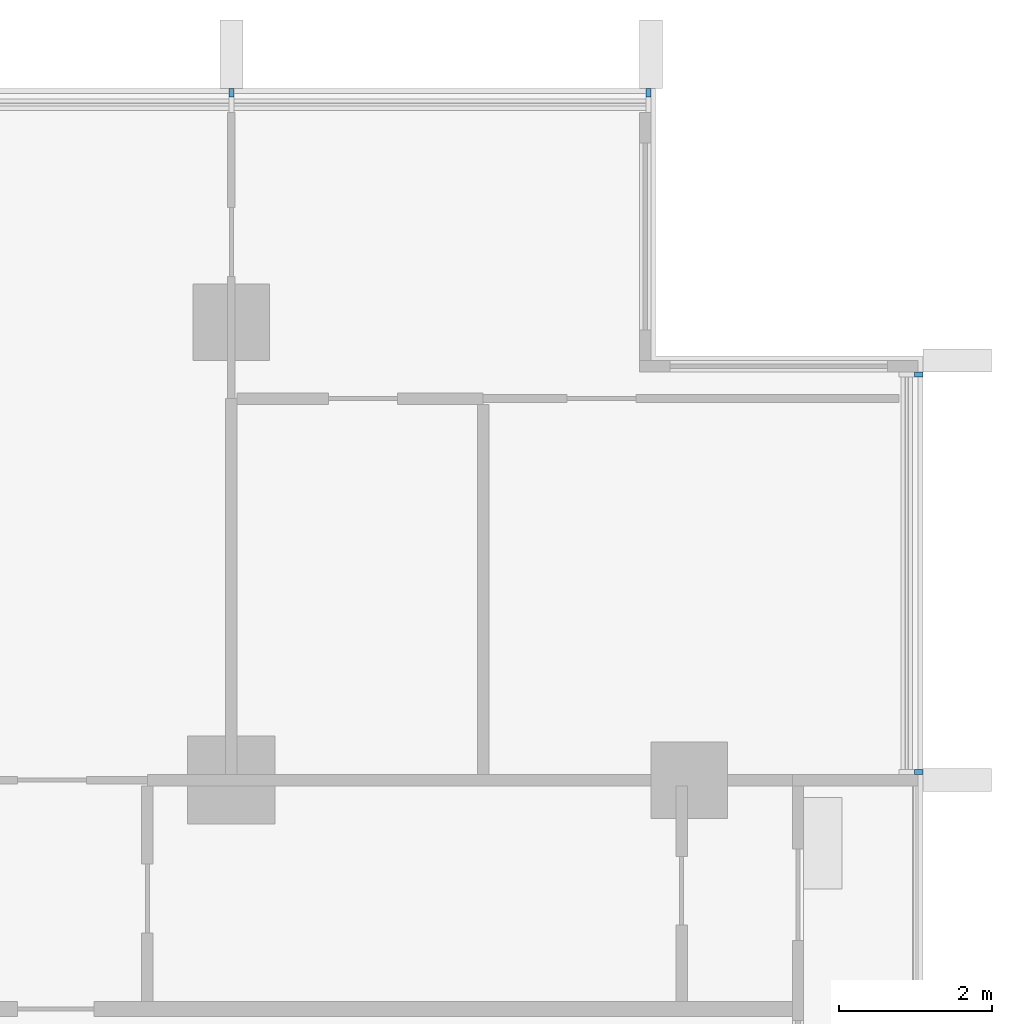
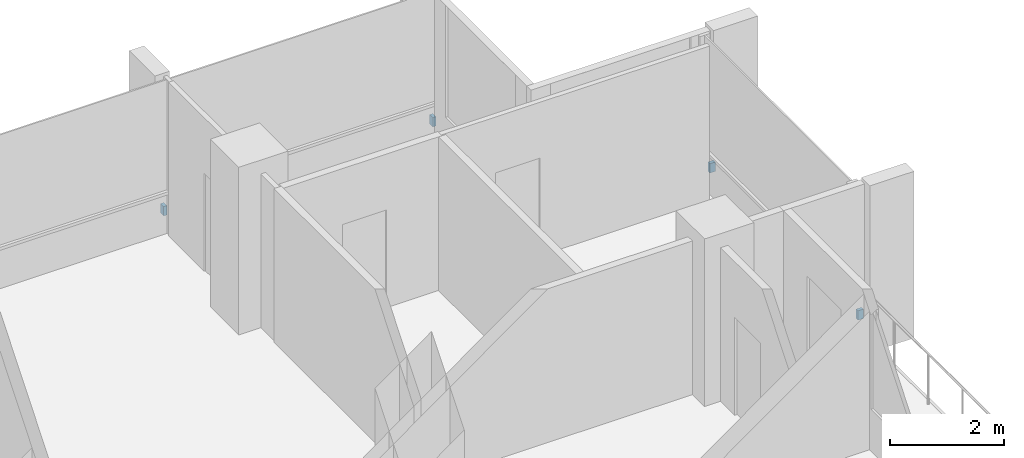
# One storey, part 16 of 17: 4 discrete accessories.
"""IFC4 building model written with IfcOpenShell, lengths in metres."""

import ifcopenshell
import ifcopenshell.guid

model = None  # the IFC model being written
_history = None  # IfcOwnerHistory: only IFC2X3 demands one
_inside = {}  # id of a spatial element -> (the spatial element, [elements in it])
_under = {}  # id of a project, library or spatial element -> (it, [spatial elements below it])
_declared = {}  # id of a project -> (the project, [libraries it declares])
_typed = {}  # id of a type object -> (the type object, [elements of that type])
_made_of = {}  # id of a material, layer set ... -> (it, [elements and type objects made of it])


def new_model(schema):
    """Start an empty IFC model of exactly this schema.

    Asked for "IFC4X3", IfcOpenShell would pick the latest addendum, in which some entities
    have other attributes; the version numbers below select the first issue.
    IFC2X3 requires an IfcOwnerHistory on every rooted entity: one is made here for all.
    """
    global model, _history
    if schema == "IFC4X3":
        model = ifcopenshell.file(schema_version=(4, 3, 0, 0))
    else:
        model = ifcopenshell.file(schema=schema)
    _inside.clear()
    _under.clear()
    _declared.clear()
    _typed.clear()
    _made_of.clear()
    _history = None
    if model.schema == "IFC2X3":
        org = make("IfcOrganization", Name="unknown")
        user = make(
            "IfcPersonAndOrganization",
            ThePerson=make("IfcPerson", FamilyName="unknown"),
            TheOrganization=org,
        )
        app = make(
            "IfcApplication",
            ApplicationDeveloper=org,
            Version="unknown",
            ApplicationFullName="unknown",
            ApplicationIdentifier="unknown",
        )
        _history = make(
            "IfcOwnerHistory",
            OwningUser=user,
            OwningApplication=app,
            ChangeAction="ADDED",
            CreationDate=0,
        )
    return model


def make(cls, **values):
    """One entity of the class cls with the attributes given. An attribute that is None is left unset."""
    return model.create_entity(
        cls, **{name: value for name, value in values.items() if value is not None}
    )


def rooted(cls, **values):
    """An entity with a GlobalId (a new one), such as an element, a storey or a relation."""
    return make(cls, GlobalId=ifcopenshell.guid.new(), OwnerHistory=_history, **values)


def si_unit(unit_type, name, prefix=None):
    """IfcSIUnit, for example si_unit("LENGTHUNIT", "METRE", prefix="MILLI")."""
    return make("IfcSIUnit", UnitType=unit_type, Prefix=prefix, Name=name)


def assignment(units):
    """IfcUnitAssignment: the units of a project."""
    return None if units is None else make("IfcUnitAssignment", Units=units)


def point(xyz):
    """IfcCartesianPoint."""
    return None if xyz is None else make("IfcCartesianPoint", Coordinates=xyz)


def direction(xyz):
    """IfcDirection."""
    return None if xyz is None else make("IfcDirection", DirectionRatios=xyz)


def frame(location, z_axis=None, x_axis=None):
    """IfcAxis2Placement3D, a coordinate frame: its origin and axes. An axis left out is left unset."""
    return make(
        "IfcAxis2Placement3D",
        Location=point(location),
        Axis=direction(z_axis),
        RefDirection=direction(x_axis),
    )


def frame_2d(location, x_axis=None):
    """IfcAxis2Placement2D, a coordinate frame in the plane: its origin and x axis."""
    return make(
        "IfcAxis2Placement2D", Location=point(location), RefDirection=direction(x_axis)
    )


def origin():
    """The frame at (0, 0, 0) with its axes left unset."""
    return frame((0.0, 0.0, 0.0))


def origin_2d():
    """The frame at (0, 0) in the plane with its x axis left unset."""
    return frame_2d((0.0, 0.0))


def place(relative_to, where):
    """IfcLocalPlacement: puts the frame where relative to a parent placement (None: the world)."""
    return make(
        "IfcLocalPlacement", PlacementRelTo=relative_to, RelativePlacement=where
    )


def context(
    kind, dimensions, precision=None, world=None, true_north=None, identifier=None
):
    """IfcGeometricRepresentationContext, for example the 3D "Model" context."""
    return make(
        "IfcGeometricRepresentationContext",
        ContextIdentifier=identifier,
        ContextType=kind,
        CoordinateSpaceDimension=dimensions,
        Precision=precision,
        WorldCoordinateSystem=world,
        TrueNorth=true_north,
    )


def subcontext(parent, identifier, kind, view, scale=None):
    """IfcGeometricRepresentationSubContext, for example "Body" below "Model"."""
    return make(
        "IfcGeometricRepresentationSubContext",
        ContextIdentifier=identifier,
        ContextType=kind,
        ParentContext=parent,
        TargetScale=scale,
        TargetView=view,
    )


def project(units=None, contexts=None):
    """IfcProject with its units and contexts."""
    return rooted(
        "IfcProject",
        Name="project",
        RepresentationContexts=contexts,
        UnitsInContext=assignment(units),
    )


def spatial(cls, under=None, at=None, **own):
    """A site, building, storey or space (cls), placed at a placement, below another one or the project."""
    s = rooted(cls, ObjectPlacement=at, **own)
    if under is not None:
        _under.setdefault(under.id(), (under, []))[1].append(s)
    return s


def profile(cls, at=None, kind="AREA", **sizes):
    """A parametric profile (cls). Its sizes go by their IFC names, for example OverallWidth=200.0."""
    return make(cls, ProfileType=kind, Position=at, **sizes)


def rectangle(**sizes):
    """IfcRectangleProfileDef."""
    return profile("IfcRectangleProfileDef", **sizes)


def extrude(swept, where, along, depth):
    """IfcExtrudedAreaSolid: the profile swept, set in the frame where, extruded along a direction by depth."""
    return make(
        "IfcExtrudedAreaSolid",
        SweptArea=swept,
        Position=where,
        ExtrudedDirection=direction(along),
        Depth=depth,
    )


def shape(context_of_items, identifier, shape_type, items):
    """IfcShapeRepresentation: the items that make up one representation, for example the "Body"."""
    return make(
        "IfcShapeRepresentation",
        ContextOfItems=context_of_items,
        RepresentationIdentifier=identifier,
        RepresentationType=shape_type,
        Items=items,
    )


def material(Name=None, Category=None):
    """IfcMaterial."""
    return make("IfcMaterial", Name=Name, Category=Category)


def made_of(thing, what):
    """Note that an element or type object is made of a material, layer set ...; save() writes the relation."""
    if what is not None:
        _made_of.setdefault(what.id(), (what, []))[1].append(thing)
    return thing


def type_object(cls, material=None, **own):
    """A type object (cls), such as IfcWallType, which elements share."""
    return made_of(rooted(cls, **own), material)


def element(
    cls,
    number,
    at=None,
    inside=None,
    cuts=None,
    type_object=None,
    material=None,
    context=None,
    identifier="Body",
    shape_type=None,
    held_by="IfcProductDefinitionShape",
    body=None,
    shapes=None,
    **own,
):
    """One element of the class cls, such as IfcWall. Its Tag is "e" and its number.

    at: its placement. inside: the storey or other place that contains it. cuts: it is an
    opening in that element (IfcRelVoidsElement). A single representation is given by context,
    identifier, shape_type and body (its items); several are given by shapes. held_by: the class
    of the entity that holds the representations. save() writes the other relations.
    """
    e = rooted(cls, Tag="e%d" % number, ObjectPlacement=at, **own)
    if body is not None:
        shapes = [shape(context, identifier, shape_type, body)]
    if shapes is not None:
        e.Representation = make(held_by, Representations=shapes)
    if inside is not None:
        _inside.setdefault(inside.id(), (inside, []))[1].append(e)
    if cuts is not None:
        rooted(
            "IfcRelVoidsElement", RelatingBuildingElement=cuts, RelatedOpeningElement=e
        )
    if type_object is not None:
        _typed.setdefault(type_object.id(), (type_object, []))[1].append(e)
    return made_of(e, material)


def aggregate(whole, parts):
    """IfcRelAggregates: a whole, such as a stair, and the parts it consists of."""
    return rooted("IfcRelAggregates", RelatingObject=whole, RelatedObjects=parts)


def save(model, path):
    """Write the relations noted so far, then the file.

    IfcRelAggregates (storeys below a building ...), IfcRelContainedInSpatialStructure (elements
    in a storey), IfcRelDefinesByType, IfcRelAssociatesMaterial and IfcRelDeclares: one each for
    every whole, place, type object, material and project.
    """
    for whole, parts in _under.values():
        aggregate(whole, parts)
    for where, things in _inside.values():
        rooted(
            "IfcRelContainedInSpatialStructure",
            RelatedElements=things,
            RelatingStructure=where,
        )
    for kind, things in _typed.values():
        rooted("IfcRelDefinesByType", RelatedObjects=things, RelatingType=kind)
    for what, things in _made_of.values():
        rooted("IfcRelAssociatesMaterial", RelatedObjects=things, RelatingMaterial=what)
    for by, libraries in _declared.values():
        rooted("IfcRelDeclares", RelatingContext=by, RelatedDefinitions=libraries)
    model.write(path)


model = new_model("IFC4")

# Units and contexts
model_context = context("Model", 3, precision=1e-05, world=origin(), true_north=direction((0.0, 1.0)))
body_context = subcontext(model_context, "Body", "Model", "MODEL_VIEW")
ifc_project = project(units=[si_unit("LENGTHUNIT", "METRE"), si_unit("AREAUNIT", "SQUARE_METRE"), si_unit("VOLUMEUNIT", "CUBIC_METRE"), si_unit("PLANEANGLEUNIT", "RADIAN"), si_unit("MASSUNIT", "GRAM", prefix="KILO")], contexts=[model_context])

# Site, building, storey
site_placement = place(None, origin())
site = spatial("IfcSite", under=ifc_project, at=site_placement, CompositionType="ELEMENT")
building_placement = place(site_placement, origin())
building = spatial("IfcBuilding", under=site, at=building_placement, Name="Finial Court Residences", CompositionType="ELEMENT")
storey_placement = place(building_placement, frame((0.0, 0.0, 95.5)))
storey = spatial("IfcBuildingStorey", under=building, at=storey_placement, Name="L23", CompositionType="ELEMENT", Elevation=95.5)

# Discrete accessories
ifc_material = material(Name="Stainless steel 316", Category="steel")
discrete_accessory_type = type_object("IfcDiscreteAccessoryType", Name="Fin bracket, stainless steel 65 x 110 x 200", PredefinedType="BRACKET", material=ifc_material)
for number, where, z_axis, x_axis, name in (
    (1, (16.5, 22.5048828125, 0.2998046875), (0.0, 0.0, 1.0), (1.0, 0.0, 0.0), "E-L23-FIN-N7-BRK"),
    (2, (21.967529296875, 22.5048828125, 0.2998046875), (0.0, 0.0, 1.0), (1.0, 0.0, 0.0), "E-L23-FIN-N8-BRK"),
):
    element("IfcDiscreteAccessory", number, at=place(storey_placement, frame(where, z_axis=z_axis, x_axis=x_axis)), inside=storey, type_object=discrete_accessory_type, Name=name, PredefinedType="BRACKET", context=body_context, shape_type="SweptSolid", body=[
        extrude(rectangle(XDim=0.06494140625, YDim=0.110107421875, at=origin_2d()), origin(), (0.0, 0.0, 1.0), 0.199951171875),
    ])
for number, where, z_axis, x_axis, name in (
    (3, (25.5048828125, 13.607421875, 0.2998046875), (0.0, 0.0, 1.0), (1.0, 0.0, 0.0), "E-L23-FIN-E14-BRK"),
    (4, (25.5048828125, 18.8173828125, 0.2998046875), (0.0, 0.0, 1.0), (1.0, 0.0, 0.0), "E-L23-FIN-E15-BRK"),
):
    element("IfcDiscreteAccessory", number, at=place(storey_placement, frame(where, z_axis=z_axis, x_axis=x_axis)), inside=storey, type_object=discrete_accessory_type, Name=name, PredefinedType="BRACKET", context=body_context, shape_type="SweptSolid", body=[
        extrude(rectangle(XDim=0.110107421875, YDim=0.06494140625, at=origin_2d()), origin(), (0.0, 0.0, 1.0), 0.199951171875),
    ])

save(model, "model.ifc")
